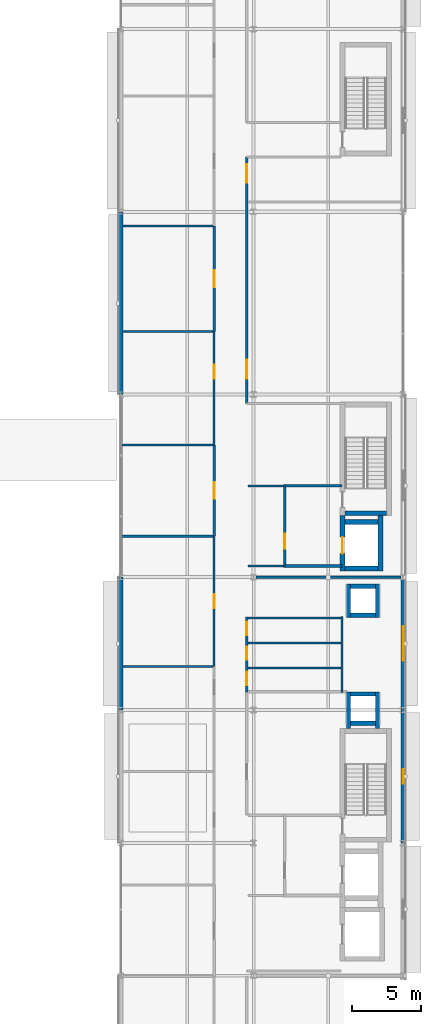
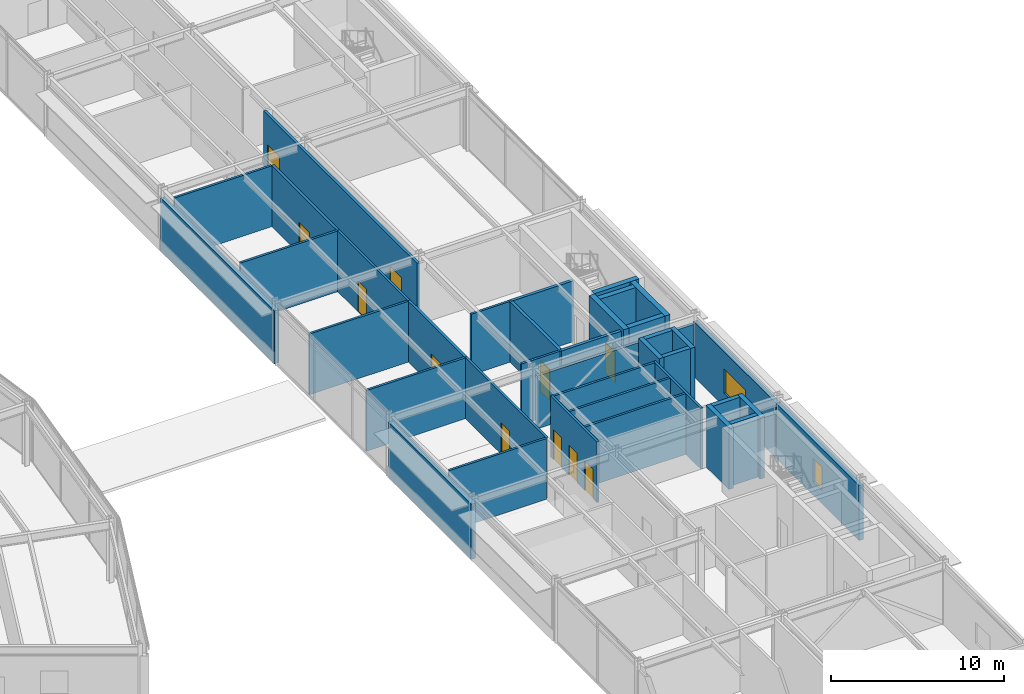
# One storey, part 109 of 133: 38 walls, 11 doors, 2 windows, 13 openings.
"""IFC4 building model written with IfcOpenShell, lengths in metres."""

from ifc_helpers import new_model, si_unit, direction, frame, frame_2d, origin, place, context, subcontext, project, spatial, rectangle, extrude, material, layer, layer_set, type_object, element, fill, save


model = new_model("IFC4")

# Units and contexts
model_context = context("Model", 3, precision=1e-05, world=origin(), true_north=direction((0.0, 1.0)))
body_context = subcontext(model_context, "Body", "Model", "MODEL_VIEW")
ifc_project = project(units=[si_unit("LENGTHUNIT", "METRE"), si_unit("AREAUNIT", "SQUARE_METRE"), si_unit("VOLUMEUNIT", "CUBIC_METRE"), si_unit("PLANEANGLEUNIT", "RADIAN"), si_unit("MASSUNIT", "GRAM", prefix="KILO")], contexts=[model_context])

# Site, building, storey
site_placement = place(None, origin())
site = spatial("IfcSite", under=ifc_project, at=site_placement, CompositionType="ELEMENT")
building_placement = place(site_placement, origin())
building = spatial("IfcBuilding", under=site, at=building_placement, Name="Almandine Court Research Institute", CompositionType="ELEMENT")
storey_placement = place(building_placement, frame((0.0, 0.0, 9.800048828125)))
storey = spatial("IfcBuildingStorey", under=building, at=storey_placement, Name="L02", CompositionType="ELEMENT", Elevation=9.800048828125)

# Walls
ifc_material_1 = material(Name="Insulated Ochre Terracotta Rainscreen Wall", Category="masonry")
ifc_layer_1 = layer(ifc_material_1, 0.2900390625)
ifc_layer_set_1 = layer_set([ifc_layer_1], Name="Insulated Ochre Terracotta Rainscreen Wall")
wall_type_1 = type_object("IfcWallType", Name="Wall-EXT-TERR-290", PredefinedType="SOLIDWALL", material=ifc_layer_set_1)
wall_1_placement = place(storey_placement, frame((153.60009765625, 34.803955078125, 0.0), z_axis=(0.0, 0.0, 1.0), x_axis=(0.0, 1.0, 0.0)))
element("IfcWall", 1, at=wall_1_placement, inside=storey, type_object=wall_type_1, Name="L02 Wet Lab West Facade Wall 4", PredefinedType="SOLIDWALL", context=body_context, shape_type="SweptSolid", body=[
    extrude(rectangle(XDim=9.592041015625, YDim=0.2900390625, at=frame_2d((4.7958984375, 0.0))), origin(), (0.0, 0.0, 1.0), 3.89306640625),
])
wall_2_placement = place(storey_placement, frame((153.60009765625, 57.60400390625, 0.0), z_axis=(0.0, 0.0, 1.0), x_axis=(0.0, 1.0, 0.0)))
element("IfcWall", 2, at=wall_2_placement, inside=storey, type_object=wall_type_1, Name="L02 Wet Lab West Facade Wall 6", PredefinedType="SOLIDWALL", context=body_context, shape_type="SweptSolid", body=[
    extrude(rectangle(XDim=13.19189453125, YDim=0.2900390625, at=frame_2d((6.595947265625, 0.0))), origin(), (0.0, 0.0, 1.0), 3.741943359375),
])

# Wall, opening, window
wall_3_placement = place(storey_placement, frame((174.0, 44.39599609375, 0.0), z_axis=(0.0, 0.0, 1.0), x_axis=(0.0, -1.0, 0.0)))
wall_3 = element("IfcWall", 3, at=wall_3_placement, inside=storey, type_object=wall_type_1, Name="L02 Wet Lab East Facade Wall 4", PredefinedType="SOLIDWALL", context=body_context, shape_type="SweptSolid", body=[
    extrude(rectangle(XDim=9.592041015625, YDim=0.2900390625, at=frame_2d((4.7958984375, 0.0))), origin(), (0.0, 0.0, 1.0), 3.884033203125),
])
opening_1_placement = place(wall_3_placement, frame((3.555908203125, 0.0, 0.949951171875)))
opening_1 = element("IfcOpeningElement", 4, at=opening_1_placement, cuts=wall_3, Name="Opening WN-74", PredefinedType="OPENING", context=body_context, shape_type="SweptSolid", body=[
    extrude(rectangle(XDim=2.47998046875, YDim=1.719970703125, at=frame_2d((1.239990234375, 0.85986328125))), frame((0.0, 0.155029296875, 0.0), z_axis=(0.0, -1.0, 0.0), x_axis=(1.0, 0.0, 0.0)), (0.0, 0.0, 1.0), 0.31005859375),
])
ifc_material_2 = material(Name="Thermally Broken Low-E Double-Glazed Window", Category="glass")
window_type_1 = type_object("IfcWindowType", Name="Win-WN-74-2480x1720", PartitioningType="SINGLE_PANEL", PredefinedType="WINDOW", material=ifc_material_2)
window_1_placement = place(opening_1_placement, origin())
window_1 = element("IfcWindow", 5, at=window_1_placement, inside=storey, type_object=window_type_1, Name="L02 Modular Recessed Low-E Window 107", OverallHeight=1.719970703125, OverallWidth=2.47998046875, PartitioningType="SINGLE_PANEL", PredefinedType="WINDOW", context=body_context, shape_type="SweptSolid", body=[
    extrude(rectangle(XDim=2.47998046875, YDim=1.719970703125, at=frame_2d((1.239990234375, 0.85986328125))), frame((0.0, 0.030029296875, 0.0), z_axis=(0.0, -1.0, 0.0), x_axis=(1.0, 0.0, 0.0)), (0.0, 0.0, 1.0), 0.06005859375),
])
fill(opening_1, window_1)

wall_4_placement = place(storey_placement, frame((174.0, 34.7958984375, 0.0), z_axis=(0.0, 0.0, 1.0), x_axis=(0.0, -1.0, 0.0)))
wall_4 = element("IfcWall", 6, at=wall_4_placement, inside=storey, type_object=wall_type_1, Name="L02 Wet Lab East Facade Wall 3", PredefinedType="SOLIDWALL", context=body_context, shape_type="SweptSolid", body=[
    extrude(rectangle(XDim=9.591796875, YDim=0.2900390625, at=frame_2d((4.7958984375, 0.0))), origin(), (0.0, 0.0, 1.0), 3.884033203125),
])
opening_2_placement = place(wall_4_placement, frame((4.27099609375, 0.0, 0.949951171875)))
opening_2 = element("IfcOpeningElement", 7, at=opening_2_placement, cuts=wall_4, Name="Opening WN-11", PredefinedType="OPENING", context=body_context, shape_type="SweptSolid", body=[
    extrude(rectangle(XDim=1.050048828125, YDim=1.639892578125, at=frame_2d((0.52490234375, 0.81982421875))), frame((0.0, 0.155029296875, 0.0), z_axis=(0.0, -1.0, 0.0), x_axis=(1.0, 0.0, 0.0)), (0.0, 0.0, 1.0), 0.31005859375),
])
window_type_2 = type_object("IfcWindowType", Name="Win-WN-11-1050x1640", PartitioningType="SINGLE_PANEL", PredefinedType="WINDOW", material=ifc_material_2)
window_2_placement = place(opening_2_placement, origin())
window_2 = element("IfcWindow", 8, at=window_2_placement, inside=storey, type_object=window_type_2, Name="L02 Modular Recessed Low-E Window 108", OverallHeight=1.639892578125, OverallWidth=1.050048828125, PartitioningType="SINGLE_PANEL", PredefinedType="WINDOW", context=body_context, shape_type="SweptSolid", body=[
    extrude(rectangle(XDim=1.050048828125, YDim=1.639892578125, at=frame_2d((0.52490234375, 0.81982421875))), frame((0.0, 0.030029296875, 0.0), z_axis=(0.0, -1.0, 0.0), x_axis=(1.0, 0.0, 0.0)), (0.0, 0.0, 1.0), 0.06005859375),
])
fill(opening_2, window_2)

# Wall, opening, door
ifc_material_3 = material(Name="One-Hour Fire-Rated Laboratory Partition")
ifc_layer_2 = layer(ifc_material_3, 0.175048828125)
ifc_layer_set_2 = layer_set([ifc_layer_2], Name="One-Hour Fire-Rated Laboratory Partition")
wall_type_2 = type_object("IfcWallType", Name="Wall-FIRE-175", PredefinedType="PARTITIONING", material=ifc_layer_set_2)
wall_5_placement = place(storey_placement, frame((160.35009765625, 47.360107421875, 0.0), z_axis=(0.0, 0.0, 1.0), x_axis=(0.0, 1.0, 0.0)))
wall_5 = element("IfcWall", 9, at=wall_5_placement, inside=storey, type_object=wall_type_2, Name="L02 Interior Partition W-V4-L02-WW-5", PredefinedType="PARTITIONING", context=body_context, shape_type="SweptSolid", body=[
    extrude(rectangle(XDim=6.599853515625, YDim=0.175048828125, at=frame_2d((3.2998046875, 0.0))), origin(), (0.0, 0.0, 1.0), 4.300048828125),
])
opening_3_placement = place(wall_5_placement, frame((2.699951171875, 0.0, 0.0)))
opening_3 = element("IfcOpeningElement", 10, at=opening_3_placement, cuts=wall_5, Name="Opening FD-LAB", PredefinedType="OPENING", context=body_context, shape_type="SweptSolid", body=[
    extrude(rectangle(XDim=1.199951171875, YDim=2.199951171875, at=frame_2d((0.60009765625, 1.10009765625))), frame((0.0, 0.097412109375, 0.0), z_axis=(0.0, -1.0, 0.0), x_axis=(1.0, 0.0, 0.0)), (0.0, 0.0, 1.0), 0.195068359375),
])
ifc_material_4 = material(Name="Fire-Rated Laboratory Containment Door")
door_type_1 = type_object("IfcDoorType", Name="Door-FD-LAB-1200", OperationType="NOTDEFINED", PredefinedType="DOOR", material=ifc_material_4)
door_1_placement = place(opening_3_placement, origin())
door_1 = element("IfcDoor", 11, at=door_1_placement, inside=storey, type_object=door_type_1, Name="L02 Wet Chemistry Laboratory Door", OperationType="SINGLE_SWING_LEFT", OverallHeight=2.199951171875, OverallWidth=1.199951171875, PredefinedType="DOOR", context=body_context, shape_type="SweptSolid", body=[
    extrude(rectangle(XDim=1.199951171875, YDim=2.199951171875, at=frame_2d((0.60009765625, 1.10009765625))), frame((0.0, 0.02490234375, 0.0), z_axis=(0.0, -1.0, 0.0), x_axis=(1.0, 0.0, 0.0)), (0.0, 0.0, 1.0), 0.050048828125),
])
fill(opening_3, door_1)

wall_6_placement = place(storey_placement, frame((160.35009765625, 62.159912109375, 0.0), z_axis=(0.0, 0.0, 1.0), x_axis=(0.0, 1.0, 0.0)))
wall_6 = element("IfcWall", 12, at=wall_6_placement, inside=storey, type_object=wall_type_2, Name="L02 Interior Partition W-V4-L02-WW-7", PredefinedType="PARTITIONING", context=body_context, shape_type="SweptSolid", body=[
    extrude(rectangle(XDim=7.60009765625, YDim=0.175048828125, at=frame_2d((3.800048828125, 0.0))), origin(), (0.0, 0.0, 1.0), 4.300048828125),
])
opening_4_placement = place(wall_6_placement, frame((3.199951171875, 0.0, 0.0)))
opening_4 = element("IfcOpeningElement", 13, at=opening_4_placement, cuts=wall_6, Name="Opening FD-LAB", PredefinedType="OPENING", context=body_context, shape_type="SweptSolid", body=[
    extrude(rectangle(XDim=1.199951171875, YDim=2.199951171875, at=frame_2d((0.60009765625, 1.10009765625))), frame((0.0, 0.097412109375, 0.0), z_axis=(0.0, -1.0, 0.0), x_axis=(1.0, 0.0, 0.0)), (0.0, 0.0, 1.0), 0.195068359375),
])
door_2_placement = place(opening_4_placement, origin())
door_2 = element("IfcDoor", 14, at=door_2_placement, inside=storey, type_object=door_type_1, Name="L02 Biosciences BSL-2 Laboratory Door", OperationType="SINGLE_SWING_LEFT", OverallHeight=2.199951171875, OverallWidth=1.199951171875, PredefinedType="DOOR", context=body_context, shape_type="SweptSolid", body=[
    extrude(rectangle(XDim=1.199951171875, YDim=2.199951171875, at=frame_2d((0.60009765625, 1.10009765625))), frame((0.0, 0.02490234375, 0.0), z_axis=(0.0, -1.0, 0.0), x_axis=(1.0, 0.0, 0.0)), (0.0, 0.0, 1.0), 0.050048828125),
])
fill(opening_4, door_2)

# Wall, openings, doors
wall_7_placement = place(storey_placement, frame((162.699951171875, 56.949951171875, 0.0), z_axis=(0.0, 0.0, 1.0), x_axis=(0.0, 1.0, 0.0)))
wall_7 = element("IfcWall", 15, at=wall_7_placement, inside=storey, type_object=wall_type_2, Name="L02 Interior Partition W-V4-L02-EW-N1", PredefinedType="PARTITIONING", context=body_context, shape_type="SweptSolid", body=[
    extrude(rectangle(XDim=17.800048828125, YDim=0.175048828125, at=frame_2d((8.89990234375, 0.0))), origin(), (0.0, 0.0, 1.0), 4.300048828125),
])
opening_5_placement = place(wall_7_placement, frame((1.800048828125, 0.0, 0.0)))
opening_5 = element("IfcOpeningElement", 16, at=opening_5_placement, cuts=wall_7, Name="Opening FD-LB2", PredefinedType="OPENING", context=body_context, shape_type="SweptSolid", body=[
    extrude(rectangle(XDim=1.35009765625, YDim=2.199951171875, at=frame_2d((0.675048828125, 1.10009765625))), frame((0.0, 0.097412109375, 0.0), z_axis=(0.0, -1.0, 0.0), x_axis=(1.0, 0.0, 0.0)), (0.0, 0.0, 1.0), 0.195068359375),
])
opening_6_placement = place(wall_7_placement, frame((15.949951171875, 0.0, 0.0)))
opening_6 = element("IfcOpeningElement", 17, at=opening_6_placement, cuts=wall_7, Name="Opening FD-LB2", PredefinedType="OPENING", context=body_context, shape_type="SweptSolid", body=[
    extrude(rectangle(XDim=1.35009765625, YDim=2.199951171875, at=frame_2d((0.675048828125, 1.10009765625))), frame((0.0, 0.097412109375, 0.0), z_axis=(0.0, -1.0, 0.0), x_axis=(1.0, 0.0, 0.0)), (0.0, 0.0, 1.0), 0.195068359375),
])
ifc_material_5 = material(Name="Wide Fire-Rated Cleanroom and Lab Door")
door_type_2 = type_object("IfcDoorType", Name="Door-FD-LAB-1350", OperationType="NOTDEFINED", PredefinedType="DOOR", material=ifc_material_5)
door_3_placement = place(opening_5_placement, origin())
door_3 = element("IfcDoor", 18, at=door_3_placement, inside=storey, type_object=door_type_2, Name="L02 East Wet Chemistry Lab Door", OperationType="SINGLE_SWING_LEFT", OverallHeight=2.199951171875, OverallWidth=1.35009765625, PredefinedType="DOOR", context=body_context, shape_type="SweptSolid", body=[
    extrude(rectangle(XDim=1.35009765625, YDim=2.199951171875, at=frame_2d((0.675048828125, 1.10009765625))), frame((0.0, 0.02490234375, 0.0), z_axis=(0.0, -1.0, 0.0), x_axis=(1.0, 0.0, 0.0)), (0.0, 0.0, 1.0), 0.050048828125),
])
fill(opening_5, door_3)
door_4_placement = place(opening_6_placement, origin())
door_4 = element("IfcDoor", 19, at=door_4_placement, inside=storey, type_object=door_type_2, Name="L02 East BSL-2 Lab South Door", OperationType="SINGLE_SWING_RIGHT", OverallHeight=2.199951171875, OverallWidth=1.35009765625, PredefinedType="DOOR", context=body_context, shape_type="SweptSolid", body=[
    extrude(rectangle(XDim=1.35009765625, YDim=2.199951171875, at=frame_2d((0.675048828125, 1.10009765625))), frame((0.0, 0.02490234375, 0.0), z_axis=(0.0, -1.0, 0.0), x_axis=(1.0, 0.0, 0.0)), (0.0, 0.0, 1.0), 0.050048828125),
])
fill(opening_6, door_4)

# Wall
ifc_material_6 = material(Name="Two-Hour Fire-Barrier Enclosure Wall")
ifc_layer_3 = layer(ifc_material_6, 0.199951171875)
ifc_layer_set_3 = layer_set([ifc_layer_3], Name="Two-Hour Fire-Barrier Enclosure Wall")
wall_type_3 = type_object("IfcWallType", Name="Wall-FIRE-200", PredefinedType="SOLIDWALL", material=ifc_layer_set_3)
wall_8_placement = place(storey_placement, frame((163.360107421875, 44.39990234375, 0.0), z_axis=(0.0, 0.0, 1.0), x_axis=(1.0, 0.0, 0.0)))
element("IfcWall", 20, at=wall_8_placement, inside=storey, type_object=wall_type_3, Name="L02 Interior Partition W-BF-V4-BF2-L02", PredefinedType="SOLIDWALL", context=body_context, shape_type="SweptSolid", body=[
    extrude(rectangle(XDim=10.47998046875, YDim=0.199951171875, at=frame_2d((5.239990234375, 0.0))), origin(), (0.0, 0.0, 1.0), 3.737060546875),
])

# Wall, opening, door
wall_9_placement = place(storey_placement, frame((165.449951171875, 45.10009765625, 0.0), z_axis=(0.0, 0.0, 1.0), x_axis=(0.0, 1.0, 0.0)))
wall_9 = element("IfcWall", 21, at=wall_9_placement, inside=storey, type_object=wall_type_3, Name="L02 Interior Partition W-FFL2-L02-W", PredefinedType="SOLIDWALL", context=body_context, shape_type="SweptSolid", body=[
    extrude(rectangle(XDim=6.0, YDim=0.199951171875, at=frame_2d((3.0, 0.0))), origin(), (0.0, 0.0, 1.0), 4.300048828125),
])
opening_7_placement = place(wall_9_placement, frame((1.35009765625, 0.0, 0.0)))
opening_7 = element("IfcOpeningElement", 22, at=opening_7_placement, cuts=wall_9, Name="Opening FD-FFL", PredefinedType="OPENING", context=body_context, shape_type="SweptSolid", body=[
    extrude(rectangle(XDim=1.10009765625, YDim=2.14990234375, at=frame_2d((0.550048828125, 1.074951171875))), frame((0.0, 0.10986328125, 0.0), z_axis=(0.0, -1.0, 0.0), x_axis=(1.0, 0.0, 0.0)), (0.0, 0.0, 1.0), 0.219970703125),
])
ifc_material_7 = material(Name="Smoke-Tight Firefighting Lobby Fire Door")
door_type_3 = type_object("IfcDoorType", Name="Door-FD-FFL-1100", OperationType="NOTDEFINED", PredefinedType="DOOR", material=ifc_material_7)
door_5_placement = place(opening_7_placement, origin())
door_5 = element("IfcDoor", 23, at=door_5_placement, inside=storey, type_object=door_type_3, Name="L02 Firefighting Lobby Fire Door 2", OperationType="SINGLE_SWING_RIGHT", OverallHeight=2.14990234375, OverallWidth=1.10009765625, PredefinedType="DOOR", context=body_context, shape_type="SweptSolid", body=[
    extrude(rectangle(XDim=1.10009765625, YDim=2.14990234375, at=frame_2d((0.550048828125, 1.074951171875))), frame((0.0, 0.02490234375, 0.0), z_axis=(0.0, -1.0, 0.0), x_axis=(1.0, 0.0, 0.0)), (0.0, 0.0, 1.0), 0.050048828125),
])
fill(opening_7, door_5)

# Walls
for number, where, z_axis, x_axis, name in (
    (24, (165.449951171875, 45.199951171875, 0.0), (0.0, 0.0, 1.0), (1.0, 0.0, 0.0), "L02 Interior Partition W-FFL2-L02-S"),
    (25, (165.449951171875, 51.0, 0.0), (0.0, 0.0, 1.0), (1.0, 0.0, 0.0), "L02 Interior Partition W-FFL2-L02-N"),
):
    element("IfcWall", number, at=place(storey_placement, frame(where, z_axis=z_axis, x_axis=x_axis)), inside=storey, type_object=wall_type_3, Name=name, PredefinedType="SOLIDWALL", context=body_context, shape_type="SweptSolid", body=[
        extrude(rectangle(XDim=4.150146484375, YDim=0.199951171875, at=frame_2d((2.0751953125, 0.0))), origin(), (0.0, 0.0, 1.0), 4.300048828125),
    ])
ifc_material_8 = material(Name="Acoustic Steel-Stud Gypsum Partition Wall", Category="steel")
ifc_layer_4 = layer(ifc_material_8, 0.14990234375)
ifc_layer_set_4 = layer_set([ifc_layer_4], Name="Acoustic Steel-Stud Gypsum Partition Wall")
wall_type_4 = type_object("IfcWallType", Name="Wall-PART-150", PredefinedType="PARTITIONING", material=ifc_layer_set_4)
for number, where, z_axis, x_axis, name in (
    (26, (162.699951171875, 37.85009765625, 0.0), (0.0, 0.0, 1.0), (1.0, 0.0, 0.0), "L02 Interior Partition W-V4-L02-WCH-1"),
    (27, (162.699951171875, 39.64990234375, 0.0), (0.0, 0.0, 1.0), (1.0, 0.0, 0.0), "L02 Interior Partition W-V4-L02-WCH-2"),
    (28, (162.699951171875, 41.449951171875, 0.0), (0.0, 0.0, 1.0), (1.0, 0.0, 0.0), "L02 Interior Partition W-V4-L02-WCH-3"),
):
    element("IfcWall", number, at=place(storey_placement, frame(where, z_axis=z_axis, x_axis=x_axis)), inside=storey, type_object=wall_type_4, Name=name, PredefinedType="PARTITIONING", context=body_context, shape_type="SweptSolid", body=[
        extrude(rectangle(XDim=6.900146484375, YDim=0.14990234375, at=frame_2d((3.4501953125, 0.0))), origin(), (0.0, 0.0, 1.0), 4.300048828125),
    ])
wall_10_placement = place(storey_placement, frame((169.60009765625, 36.050048828125, 0.0), z_axis=(0.0, 0.0, 1.0), x_axis=(0.0, 1.0, 0.0)))
element("IfcWall", 29, at=wall_10_placement, inside=storey, type_object=wall_type_4, Name="L02 Interior Partition W-V4-L02-WCEAST", PredefinedType="PARTITIONING", context=body_context, shape_type="SweptSolid", body=[
    extrude(rectangle(XDim=5.5, YDim=0.14990234375, at=frame_2d((2.75, 0.0))), origin(), (0.0, 0.0, 1.0), 4.300048828125),
])

# Wall, openings, doors
wall_11_placement = place(storey_placement, frame((162.699951171875, 36.1201171875, 0.0), z_axis=(0.0, 0.0, 1.0), x_axis=(0.0, 1.0, 0.0)))
wall_11 = element("IfcWall", 30, at=wall_11_placement, inside=storey, type_object=wall_type_4, Name="L02 Interior Partition W-V4-L02-WC-ALL", PredefinedType="PARTITIONING", context=body_context, shape_type="SweptSolid", body=[
    extrude(rectangle(XDim=5.39990234375, YDim=0.14990234375, at=frame_2d((2.699951171875, 0.0))), origin(), (0.0, 0.0, 1.0), 4.300048828125),
])
opening_8_placement = place(wall_11_placement, frame((0.47998046875, 0.0, 0.0)))
opening_8 = element("IfcOpeningElement", 31, at=opening_8_placement, cuts=wall_11, Name="Opening D-01", PredefinedType="OPENING", context=body_context, shape_type="SweptSolid", body=[
    extrude(rectangle(XDim=0.949951171875, YDim=2.10009765625, at=frame_2d((0.47509765625, 1.050048828125))), frame((0.0, 0.0849609375, 0.0), z_axis=(0.0, -1.0, 0.0), x_axis=(1.0, 0.0, 0.0)), (0.0, 0.0, 1.0), 0.169921875),
])
opening_9_placement = place(wall_11_placement, frame((2.300048828125, 0.0, 0.0)))
opening_9 = element("IfcOpeningElement", 32, at=opening_9_placement, cuts=wall_11, Name="Opening D-01", PredefinedType="OPENING", context=body_context, shape_type="SweptSolid", body=[
    extrude(rectangle(XDim=0.949951171875, YDim=2.10009765625, at=frame_2d((0.47509765625, 1.050048828125))), frame((0.0, 0.0849609375, 0.0), z_axis=(0.0, -1.0, 0.0), x_axis=(1.0, 0.0, 0.0)), (0.0, 0.0, 1.0), 0.169921875),
])
opening_10_placement = place(wall_11_placement, frame((4.10009765625, 0.0, 0.0)))
opening_10 = element("IfcOpeningElement", 33, at=opening_10_placement, cuts=wall_11, Name="Opening D-01", PredefinedType="OPENING", context=body_context, shape_type="SweptSolid", body=[
    extrude(rectangle(XDim=0.949951171875, YDim=2.10009765625, at=frame_2d((0.47509765625, 1.050048828125))), frame((0.0, 0.0849609375, 0.0), z_axis=(0.0, -1.0, 0.0), x_axis=(1.0, 0.0, 0.0)), (0.0, 0.0, 1.0), 0.169921875),
])
ifc_material_9 = material(Name="Solid-Core Timber Acoustic Room Door", Category="wood")
door_type_4 = type_object("IfcDoorType", Name="Door-INT-950", OperationType="NOTDEFINED", PredefinedType="DOOR", material=ifc_material_9)
door_6_placement = place(opening_8_placement, origin())
door_6 = element("IfcDoor", 34, at=door_6_placement, inside=storey, type_object=door_type_4, Name="L02 V4 Male Toilet Door", OperationType="SINGLE_SWING_LEFT", OverallHeight=2.10009765625, OverallWidth=0.949951171875, PredefinedType="DOOR", context=body_context, shape_type="SweptSolid", body=[
    extrude(rectangle(XDim=0.949951171875, YDim=2.10009765625, at=frame_2d((0.47509765625, 1.050048828125))), frame((0.0, 0.02490234375, 0.0), z_axis=(0.0, -1.0, 0.0), x_axis=(1.0, 0.0, 0.0)), (0.0, 0.0, 1.0), 0.050048828125),
])
fill(opening_8, door_6)
door_7_placement = place(opening_9_placement, origin())
door_7 = element("IfcDoor", 35, at=door_7_placement, inside=storey, type_object=door_type_4, Name="L02 V4 Female Toilet Door", OperationType="SINGLE_SWING_RIGHT", OverallHeight=2.10009765625, OverallWidth=0.949951171875, PredefinedType="DOOR", context=body_context, shape_type="SweptSolid", body=[
    extrude(rectangle(XDim=0.949951171875, YDim=2.10009765625, at=frame_2d((0.47509765625, 1.050048828125))), frame((0.0, 0.02490234375, 0.0), z_axis=(0.0, -1.0, 0.0), x_axis=(1.0, 0.0, 0.0)), (0.0, 0.0, 1.0), 0.050048828125),
])
fill(opening_9, door_7)
door_8_placement = place(opening_10_placement, origin())
door_8 = element("IfcDoor", 36, at=door_8_placement, inside=storey, type_object=door_type_4, Name="L02 V4 Accessible WC Door", OperationType="SINGLE_SWING_LEFT", OverallHeight=2.10009765625, OverallWidth=0.949951171875, PredefinedType="DOOR", context=body_context, shape_type="SweptSolid", body=[
    extrude(rectangle(XDim=0.949951171875, YDim=2.10009765625, at=frame_2d((0.47509765625, 1.050048828125))), frame((0.0, 0.02490234375, 0.0), z_axis=(0.0, -1.0, 0.0), x_axis=(1.0, 0.0, 0.0)), (0.0, 0.0, 1.0), 0.050048828125),
])
fill(opening_10, door_8)

# Wall
wall_12_placement = place(storey_placement, frame((153.760009765625, 37.9599609375, 0.0), z_axis=(0.0, 0.0, 1.0), x_axis=(1.0, 0.0, 0.0)))
element("IfcWall", 37, at=wall_12_placement, inside=storey, type_object=wall_type_4, Name="L02 Interior Partition W-V4-L02-WDIV-3", PredefinedType="PARTITIONING", context=body_context, shape_type="SweptSolid", body=[
    extrude(rectangle(XDim=6.510009765625, YDim=0.14990234375, at=frame_2d((3.2548828125, 0.0))), origin(), (0.0, 0.0, 1.0), 4.300048828125),
])

# Wall, opening, door
wall_13_placement = place(storey_placement, frame((160.35009765625, 37.9599609375, 0.0), z_axis=(0.0, 0.0, 1.0), x_axis=(0.0, 1.0, 0.0)))
wall_13 = element("IfcWall", 38, at=wall_13_placement, inside=storey, type_object=wall_type_4, Name="L02 Interior Partition W-V4-L02-WW-4", PredefinedType="PARTITIONING", context=body_context, shape_type="SweptSolid", body=[
    extrude(rectangle(XDim=9.400146484375, YDim=0.14990234375, at=frame_2d((4.7001953125, 0.0))), origin(), (0.0, 0.0, 1.0), 4.300048828125),
])
opening_11_placement = place(wall_13_placement, frame((4.199951171875, 0.0, 0.0)))
opening_11 = element("IfcOpeningElement", 39, at=opening_11_placement, cuts=wall_13, Name="Opening D-02", PredefinedType="OPENING", context=body_context, shape_type="SweptSolid", body=[
    extrude(rectangle(XDim=1.0, YDim=2.199951171875, at=frame_2d((0.5, 1.10009765625))), frame((0.0, 0.0849609375, 0.0), z_axis=(0.0, -1.0, 0.0), x_axis=(1.0, 0.0, 0.0)), (0.0, 0.0, 1.0), 0.169921875),
])
ifc_material_10 = material(Name="Solid-Core Timber Researcher Office Door", Category="wood")
door_type_5 = type_object("IfcDoorType", Name="Door-INT-1000", OperationType="NOTDEFINED", PredefinedType="DOOR", material=ifc_material_10)
door_9_placement = place(opening_11_placement, origin())
door_9 = element("IfcDoor", 40, at=door_9_placement, inside=storey, type_object=door_type_5, Name="L02 Write-up Office Door", OperationType="SINGLE_SWING_RIGHT", OverallHeight=2.199951171875, OverallWidth=1.0, PredefinedType="DOOR", context=body_context, shape_type="SweptSolid", body=[
    extrude(rectangle(XDim=1.0, YDim=2.199951171875, at=frame_2d((0.5, 1.10009765625))), frame((0.0, 0.02490234375, 0.0), z_axis=(0.0, -1.0, 0.0), x_axis=(1.0, 0.0, 0.0)), (0.0, 0.0, 1.0), 0.050048828125),
])
fill(opening_11, door_9)

# Walls
for number, where, z_axis, x_axis, name in (
    (41, (153.659912109375, 47.360107421875, 0.0), (0.0, 0.0, 1.0), (1.0, 0.0, 0.0), "L02 Interior Partition W-V4-L02-WDIV-4"),
    (42, (153.659912109375, 53.9599609375, 0.0), (0.0, 0.0, 1.0), (1.0, 0.0, 0.0), "L02 Interior Partition W-V4-L02-WDIV-5"),
):
    element("IfcWall", number, at=place(storey_placement, frame(where, z_axis=z_axis, x_axis=x_axis)), inside=storey, type_object=wall_type_4, Name=name, PredefinedType="PARTITIONING", context=body_context, shape_type="SweptSolid", body=[
        extrude(rectangle(XDim=6.610107421875, YDim=0.14990234375, at=frame_2d((3.30517578125, 0.0))), origin(), (0.0, 0.0, 1.0), 4.300048828125),
    ])

# Wall, opening, door
wall_14_placement = place(storey_placement, frame((160.35009765625, 53.9599609375, 0.0), z_axis=(0.0, 0.0, 1.0), x_axis=(0.0, 1.0, 0.0)))
wall_14 = element("IfcWall", 43, at=wall_14_placement, inside=storey, type_object=wall_type_4, Name="L02 Interior Partition W-V4-L02-WW-6", PredefinedType="PARTITIONING", context=body_context, shape_type="SweptSolid", body=[
    extrude(rectangle(XDim=8.199951171875, YDim=0.14990234375, at=frame_2d((4.10009765625, 0.0))), origin(), (0.0, 0.0, 1.0), 4.300048828125),
])
opening_12_placement = place(wall_14_placement, frame((4.7900390625, 0.0, 0.0)))
opening_12 = element("IfcOpeningElement", 44, at=opening_12_placement, cuts=wall_14, Name="Opening D-02", PredefinedType="OPENING", context=body_context, shape_type="SweptSolid", body=[
    extrude(rectangle(XDim=1.0, YDim=2.199951171875, at=frame_2d((0.5, 1.10009765625))), frame((0.0, 0.0849609375, 0.0), z_axis=(0.0, -1.0, 0.0), x_axis=(1.0, 0.0, 0.0)), (0.0, 0.0, 1.0), 0.169921875),
])
door_10_placement = place(opening_12_placement, origin())
door_10 = element("IfcDoor", 45, at=door_10_placement, inside=storey, type_object=door_type_5, Name="L02 Faculty Study Door", OperationType="SINGLE_SWING_RIGHT", OverallHeight=2.199951171875, OverallWidth=1.0, PredefinedType="DOOR", context=body_context, shape_type="SweptSolid", body=[
    extrude(rectangle(XDim=1.0, YDim=2.199951171875, at=frame_2d((0.5, 1.10009765625))), frame((0.0, 0.02490234375, 0.0), z_axis=(0.0, -1.0, 0.0), x_axis=(1.0, 0.0, 0.0)), (0.0, 0.0, 1.0), 0.050048828125),
])
fill(opening_12, door_10)

# Walls
for number, where, z_axis, x_axis, name in (
    (46, (153.760009765625, 62.159912109375, 0.0), (0.0, 0.0, 1.0), (1.0, 0.0, 0.0), "L02 Interior Partition W-V4-L02-WDIV-6"),
    (47, (153.760009765625, 69.760009765625, 0.0), (0.0, 0.0, 1.0), (1.0, 0.0, 0.0), "L02 Interior Partition W-V4-L02-WDIV-7"),
):
    element("IfcWall", number, at=place(storey_placement, frame(where, z_axis=z_axis, x_axis=x_axis)), inside=storey, type_object=wall_type_4, Name=name, PredefinedType="PARTITIONING", context=body_context, shape_type="SweptSolid", body=[
        extrude(rectangle(XDim=6.510009765625, YDim=0.14990234375, at=frame_2d((3.2548828125, 0.0))), origin(), (0.0, 0.0, 1.0), 4.300048828125),
    ])
for number, where, z_axis, x_axis, name in (
    (48, (162.780029296875, 45.199951171875, 0.0), (0.0, 0.0, 1.0), (1.0, 0.0, 0.0), "L02 Interior Partition W-V4-L02-FFL2-CS"),
    (49, (162.780029296875, 51.0, 0.0), (0.0, 0.0, 1.0), (1.0, 0.0, 0.0), "L02 Interior Partition W-V4-L02-FFL2-CN"),
):
    element("IfcWall", number, at=place(storey_placement, frame(where, z_axis=z_axis, x_axis=x_axis)), inside=storey, type_object=wall_type_4, Name=name, PredefinedType="PARTITIONING", context=body_context, shape_type="SweptSolid", body=[
        extrude(rectangle(XDim=2.570068359375, YDim=0.14990234375, at=frame_2d((1.28515625, 0.0))), origin(), (0.0, 0.0, 1.0), 4.300048828125),
    ])
ifc_material_11 = material(Name="Concrete C40/50", Category="concrete")
ifc_layer_5 = layer(ifc_material_11, 0.300048828125)
ifc_layer_set_5 = layer_set([ifc_layer_5], Name="Concrete C40/50")
wall_type_5 = type_object("IfcWallType", Name="Wall-SW-CORE-300", PredefinedType="SHEAR", material=ifc_layer_set_5)
wall_15_placement = place(storey_placement, frame((170.050048828125, 33.449951171875, 0.0), z_axis=(0.0, 0.0, 1.0), x_axis=(0.0, 1.0, 0.0)))
element("IfcWall", 50, at=wall_15_placement, inside=storey, type_object=wall_type_5, Name="L02 MEP Riser RS-V4A W Shear Wall", PredefinedType="SHEAR", context=body_context, shape_type="SweptSolid", body=[
    extrude(rectangle(XDim=2.650146484375, YDim=0.300048828125, at=frame_2d((1.3251953125, 0.0))), origin(), (0.0, 0.0, 1.0), 4.369873046875),
])
wall_16_placement = place(storey_placement, frame((170.199951171875, 35.949951171875, 0.0), z_axis=(0.0, 0.0, 1.0), x_axis=(1.0, 0.0, 0.0)))
element("IfcWall", 51, at=wall_16_placement, inside=storey, type_object=wall_type_5, Name="L02 MEP Riser RS-V4A N Shear Wall", PredefinedType="SHEAR", context=body_context, shape_type="SweptSolid", body=[
    extrude(rectangle(XDim=1.800048828125, YDim=0.300048828125, at=frame_2d((0.89990234375, 0.0))), origin(), (0.0, 0.0, 1.0), 4.369873046875),
])
wall_17_placement = place(storey_placement, frame((172.14990234375, 36.10009765625, 0.0), z_axis=(0.0, 0.0, 1.0), x_axis=(0.0, -1.0, 0.0)))
element("IfcWall", 52, at=wall_17_placement, inside=storey, type_object=wall_type_5, Name="L02 MEP Riser RS-V4A E Shear Wall", PredefinedType="SHEAR", context=body_context, shape_type="SweptSolid", body=[
    extrude(rectangle(XDim=2.650146484375, YDim=0.300048828125, at=frame_2d((1.3251953125, 0.0))), origin(), (0.0, 0.0, 1.0), 4.369873046875),
])
wall_18_placement = place(storey_placement, frame((172.0, 33.85009765625, 0.0), z_axis=(0.0, 0.0, 1.0), x_axis=(-1.0, 0.0, 0.0)))
element("IfcWall", 53, at=wall_18_placement, inside=storey, type_object=wall_type_5, Name="L02 MEP Riser RS-V4A S Shear Wall", PredefinedType="SHEAR", context=body_context, shape_type="SweptSolid", body=[
    extrude(rectangle(XDim=1.800048828125, YDim=0.300048828125, at=frame_2d((0.89990234375, 0.0))), origin(), (0.0, 0.0, 1.0), 4.369873046875),
])
wall_19_placement = place(storey_placement, frame((170.050048828125, 41.5, 0.0), z_axis=(0.0, 0.0, 1.0), x_axis=(0.0, 1.0, 0.0)))
element("IfcWall", 54, at=wall_19_placement, inside=storey, type_object=wall_type_5, Name="L02 MEP Riser RS-V4B W Shear Wall", PredefinedType="SHEAR", context=body_context, shape_type="SweptSolid", body=[
    extrude(rectangle(XDim=2.39990234375, YDim=0.300048828125, at=frame_2d((1.199951171875, 0.0))), origin(), (0.0, 0.0, 1.0), 4.369873046875),
])
wall_20_placement = place(storey_placement, frame((170.199951171875, 43.75, 0.0), z_axis=(0.0, 0.0, 1.0), x_axis=(1.0, 0.0, 0.0)))
element("IfcWall", 55, at=wall_20_placement, inside=storey, type_object=wall_type_5, Name="L02 MEP Riser RS-V4B N Shear Wall", PredefinedType="SHEAR", context=body_context, shape_type="SweptSolid", body=[
    extrude(rectangle(XDim=1.800048828125, YDim=0.300048828125, at=frame_2d((0.89990234375, 0.0))), origin(), (0.0, 0.0, 1.0), 4.369873046875),
])
wall_21_placement = place(storey_placement, frame((172.14990234375, 43.89990234375, 0.0), z_axis=(0.0, 0.0, 1.0), x_axis=(0.0, -1.0, 0.0)))
element("IfcWall", 56, at=wall_21_placement, inside=storey, type_object=wall_type_5, Name="L02 MEP Riser RS-V4B E Shear Wall", PredefinedType="SHEAR", context=body_context, shape_type="SweptSolid", body=[
    extrude(rectangle(XDim=2.39990234375, YDim=0.300048828125, at=frame_2d((1.199951171875, 0.0))), origin(), (0.0, 0.0, 1.0), 4.369873046875),
])
wall_22_placement = place(storey_placement, frame((172.0, 41.64990234375, 0.0), z_axis=(0.0, 0.0, 1.0), x_axis=(-1.0, 0.0, 0.0)))
element("IfcWall", 57, at=wall_22_placement, inside=storey, type_object=wall_type_5, Name="L02 MEP Riser RS-V4B S Shear Wall", PredefinedType="SHEAR", context=body_context, shape_type="SweptSolid", body=[
    extrude(rectangle(XDim=1.800048828125, YDim=0.300048828125, at=frame_2d((0.89990234375, 0.0))), origin(), (0.0, 0.0, 1.0), 4.369873046875),
])
ifc_layer_6 = layer(ifc_material_11, 0.35009765625)
ifc_layer_set_6 = layer_set([ifc_layer_6], Name="Concrete C40/50")
wall_type_6 = type_object("IfcWallType", Name="Wall-SW-CORE-350", PredefinedType="SHEAR", material=ifc_layer_set_6)
wall_23_placement = place(storey_placement, frame((172.800048828125, 49.02490234375, 0.0), z_axis=(0.0, 0.0, 1.0), x_axis=(-1.0, 0.0, 0.0)))
element("IfcWall", 58, at=wall_23_placement, inside=storey, type_object=wall_type_6, Name="L02 ST-08 S Shear Wall", PredefinedType="SHEAR", context=body_context, shape_type="SweptSolid", body=[
    extrude(rectangle(XDim=3.0, YDim=0.35009765625, at=frame_2d((1.5, 0.0))), origin(), (0.0, 0.0, 1.0), 4.550048828125),
])

# Wall, opening, door
wall_24_placement = place(storey_placement, frame((169.625, 44.85009765625, 0.0), z_axis=(0.0, 0.0, 1.0), x_axis=(0.0, 1.0, 0.0)))
wall_24 = element("IfcWall", 59, at=wall_24_placement, inside=storey, type_object=wall_type_6, Name="L02 FL-02 Hoistway W Shear Wall", PredefinedType="SHEAR", context=body_context, shape_type="SweptSolid", body=[
    extrude(rectangle(XDim=4.0, YDim=0.35009765625, at=frame_2d((2.0, 0.0))), origin(), (0.0, 0.0, 1.0), 4.550048828125),
])
opening_13_placement = place(wall_24_placement, frame((1.25, 0.0, 0.0)))
opening_13 = element("IfcOpeningElement", 60, at=opening_13_placement, cuts=wall_24, Name="Opening LD-02", PredefinedType="OPENING", context=body_context, shape_type="SweptSolid", body=[
    extrude(rectangle(XDim=1.199951171875, YDim=2.14990234375, at=frame_2d((0.60009765625, 1.074951171875))), frame((0.0, 0.18505859375, 0.0), z_axis=(0.0, -1.0, 0.0), x_axis=(1.0, 0.0, 0.0)), (0.0, 0.0, 1.0), 0.3701171875),
])
ifc_material_12 = material(Name="Firefighting Lift Landing Sliding Door")
door_type_6 = type_object("IfcDoorType", Name="Door-LD-FSAE-1200", OperationType="SLIDING_TO_LEFT", PredefinedType="USERDEFINED", material=ifc_material_12)
door_11_placement = place(opening_13_placement, origin())
door_11 = element("IfcDoor", 61, at=door_11_placement, inside=storey, type_object=door_type_6, Name="L02 Firefighting Lift FL-02 Sliding Landing Door", ObjectType="LANDING DOOR", OperationType="SLIDING_TO_LEFT", OverallHeight=2.14990234375, OverallWidth=1.199951171875, PredefinedType="USERDEFINED", context=body_context, shape_type="SweptSolid", body=[
    extrude(rectangle(XDim=1.199951171875, YDim=2.14990234375, at=frame_2d((0.60009765625, 1.074951171875))), frame((0.0, 0.02490234375, 0.0), z_axis=(0.0, -1.0, 0.0), x_axis=(1.0, 0.0, 0.0)), (0.0, 0.0, 1.0), 0.050048828125),
])
fill(opening_13, door_11)

# Walls
wall_25_placement = place(storey_placement, frame((169.800048828125, 48.375, 0.0), z_axis=(0.0, 0.0, 1.0), x_axis=(1.0, 0.0, 0.0)))
element("IfcWall", 62, at=wall_25_placement, inside=storey, type_object=wall_type_6, Name="L02 FL-02 Hoistway N Shear Wall", PredefinedType="SHEAR", context=body_context, shape_type="SweptSolid", body=[
    extrude(rectangle(XDim=2.39990234375, YDim=0.35009765625, at=frame_2d((1.199951171875, 0.0))), origin(), (0.0, 0.0, 1.0), 4.550048828125),
])
wall_26_placement = place(storey_placement, frame((172.375, 48.85009765625, 0.0), z_axis=(0.0, 0.0, 1.0), x_axis=(0.0, -1.0, 0.0)))
element("IfcWall", 63, at=wall_26_placement, inside=storey, type_object=wall_type_6, Name="L02 FL-02 Hoistway E Shear Wall", PredefinedType="SHEAR", context=body_context, shape_type="SweptSolid", body=[
    extrude(rectangle(XDim=4.0, YDim=0.35009765625, at=frame_2d((2.0, 0.0))), origin(), (0.0, 0.0, 1.0), 4.550048828125),
])
wall_27_placement = place(storey_placement, frame((172.199951171875, 45.02490234375, 0.0), z_axis=(0.0, 0.0, 1.0), x_axis=(-1.0, 0.0, 0.0)))
element("IfcWall", 64, at=wall_27_placement, inside=storey, type_object=wall_type_6, Name="L02 FL-02 Hoistway S Shear Wall", PredefinedType="SHEAR", context=body_context, shape_type="SweptSolid", body=[
    extrude(rectangle(XDim=2.39990234375, YDim=0.35009765625, at=frame_2d((1.199951171875, 0.0))), origin(), (0.0, 0.0, 1.0), 4.550048828125),
])

save(model, "model.ifc")
